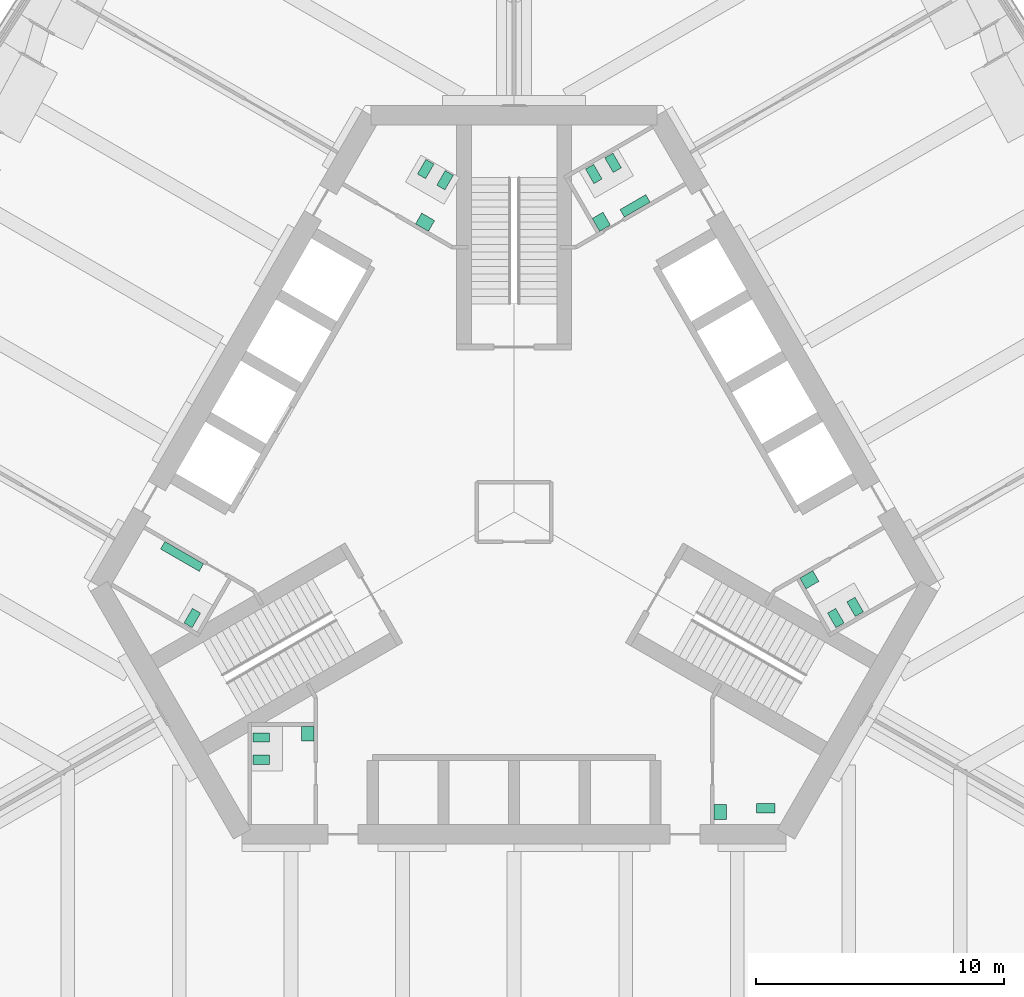
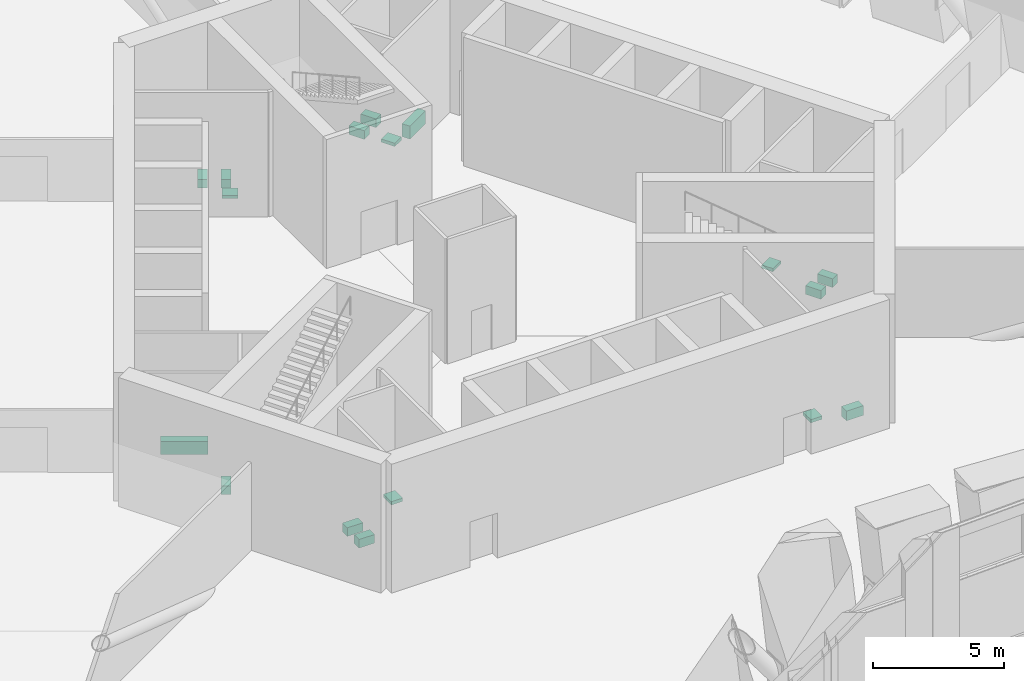
# One storey, part 27 of 28: 17 sanitary terminals.
"""IFC4 building model written with IfcOpenShell, lengths in metres."""

from ifc_helpers import new_model, si_unit, direction, frame, origin, place, context, subcontext, project, spatial, polyline, outline, extrude, material, type_object, element, save


model = new_model("IFC4")

# Units and contexts
model_context = context("Model", 3, precision=1e-05, world=origin(), true_north=direction((0.0, 1.0)))
body_context = subcontext(model_context, "Body", "Model", "MODEL_VIEW")
ifc_project = project(units=[si_unit("LENGTHUNIT", "METRE"), si_unit("AREAUNIT", "SQUARE_METRE"), si_unit("VOLUMEUNIT", "CUBIC_METRE"), si_unit("PLANEANGLEUNIT", "RADIAN"), si_unit("MASSUNIT", "GRAM", prefix="KILO")], contexts=[model_context])

# Site, building, storey
site_placement = place(None, origin())
site = spatial("IfcSite", under=ifc_project, at=site_placement, CompositionType="ELEMENT")
building_placement = place(site_placement, origin())
building = spatial("IfcBuilding", under=site, at=building_placement, Name="Trefoil Bronze Tower", CompositionType="ELEMENT")
storey_placement = place(building_placement, frame((0.0, 0.0, 92.10009765625)))
storey = spatial("IfcBuildingStorey", under=building, at=storey_placement, Name="L21", CompositionType="ELEMENT", Elevation=92.10009765625)

# Sanitary terminals
ifc_material_1 = material(Name="Vitreous china", Category="ceramic")
sanitary_terminal_type_1 = type_object("IfcSanitaryTerminalType", Name="Accessible WC pan", PredefinedType="TOILETPAN", material=ifc_material_1)
sanitary_terminal_1_placement = place(storey_placement, origin())
element("IfcSanitaryTerminal", 1, at=sanitary_terminal_1_placement, inside=storey, type_object=sanitary_terminal_type_1, Name="WC pan 1 Accessible WC L21", PredefinedType="TOILETPAN", context=body_context, shape_type="SweptSolid", body=[
    extrude(outline(polyline([(9.784912109375, -11.77001953125), (10.534912109375, -11.77001953125), (10.534912109375, -12.14990234375), (9.784912109375, -12.14990234375), (9.784912109375, -11.77001953125)])), origin(), (0.0, 0.0, 1.0), 0.449951171875),
])
ifc_material_2 = material(Name="Vitreous china", Category="ceramic")
sanitary_terminal_type_2 = type_object("IfcSanitaryTerminalType", Name="Accessible basin", PredefinedType="WASHHANDBASIN", material=ifc_material_2)
sanitary_terminal_2_placement = place(storey_placement, frame((0.0, 0.0, 0.64990234375)))
element("IfcSanitaryTerminal", 2, at=sanitary_terminal_2_placement, inside=storey, type_object=sanitary_terminal_type_2, Name="Wash basin Accessible WC L21", PredefinedType="WASHHANDBASIN", context=body_context, shape_type="SweptSolid", body=[
    extrude(outline(polyline([(8.074951171875, -11.800048828125), (8.574951171875, -11.800048828125), (8.574951171875, -12.39990234375), (8.074951171875, -12.39990234375), (8.074951171875, -11.800048828125)])), origin(), (0.0, 0.0, 1.0), 0.14990234375),
])
ifc_material_3 = material(Name="Vitreous china", Category="ceramic")
sanitary_terminal_type_3 = type_object("IfcSanitaryTerminalType", Name="Urinal range 2 urinals", PredefinedType="URINAL", material=ifc_material_3)
sanitary_terminal_3_placement = place(storey_placement, frame((0.0, 0.0, 0.39990234375)))
element("IfcSanitaryTerminal", 3, at=sanitary_terminal_3_placement, inside=storey, type_object=sanitary_terminal_type_3, Name="Urinal range WC (men) L21", PredefinedType="URINAL", context=body_context, shape_type="SweptSolid", body=[
    extrude(outline(polyline([(4.449462890625, 11.89306640625), (4.274658203125, 12.1962890625), (5.313720703125, 12.796142578125), (5.48876953125, 12.4931640625), (4.449462890625, 11.89306640625)])), origin(), (0.0, 0.0, 1.0), 0.60009765625),
])
ifc_material_4 = material(Name="Vitreous china", Category="ceramic")
sanitary_terminal_type_4 = type_object("IfcSanitaryTerminalType", Name="Urinal range 3 urinals", PredefinedType="URINAL", material=ifc_material_4)
sanitary_terminal_4_placement = place(storey_placement, frame((0.0, 0.0, 0.39990234375)))
element("IfcSanitaryTerminal", 4, at=sanitary_terminal_4_placement, inside=storey, type_object=sanitary_terminal_type_4, Name="Urinal range WC (men) L21", PredefinedType="URINAL", context=body_context, shape_type="SweptSolid", body=[
    extrude(outline(polyline([(-12.524658203125, -2.09326171875), (-12.699462890625, -2.396240234375), (-14.25830078125, -1.496337890625), (-14.08349609375, -1.193115234375), (-12.524658203125, -2.09326171875)])), origin(), (0.0, 0.0, 1.0), 0.60009765625),
])
ifc_material_5 = material(Name="Solid surface vanity", Category="plastic")
sanitary_terminal_type_5 = type_object("IfcSanitaryTerminalType", Name="Vanity unit 1 basins", PredefinedType="WASHHANDBASIN", material=ifc_material_5)
sanitary_terminal_5_placement = place(storey_placement, frame((0.0, 0.0, 0.75)))
element("IfcSanitaryTerminal", 5, at=sanitary_terminal_5_placement, inside=storey, type_object=sanitary_terminal_type_5, Name="Vanity unit WC (women) L21", PredefinedType="WASHHANDBASIN", context=body_context, shape_type="SweptSolid", body=[
    extrude(outline(polyline([(11.528564453125, -2.668212890625), (11.778564453125, -3.10107421875), (12.29833984375, -2.80126953125), (12.04833984375, -2.3681640625), (11.528564453125, -2.668212890625)])), origin(), (0.0, 0.0, 1.0), 0.14990234375),
])
sanitary_terminal_6_placement = place(storey_placement, frame((0.0, 0.0, 0.75)))
element("IfcSanitaryTerminal", 6, at=sanitary_terminal_6_placement, inside=storey, type_object=sanitary_terminal_type_5, Name="Vanity unit WC (men) L21", PredefinedType="WASHHANDBASIN", context=body_context, shape_type="SweptSolid", body=[
    extrude(outline(polyline([(3.45361328125, 11.318115234375), (3.153564453125, 11.837890625), (3.586669921875, 12.087890625), (3.88671875, 11.568115234375), (3.45361328125, 11.318115234375)])), origin(), (0.0, 0.0, 1.0), 0.14990234375),
])
sanitary_terminal_7_placement = place(storey_placement, frame((0.0, 0.0, 0.75)))
element("IfcSanitaryTerminal", 7, at=sanitary_terminal_7_placement, inside=storey, type_object=sanitary_terminal_type_5, Name="Vanity unit WC (women) L21", PredefinedType="WASHHANDBASIN", context=body_context, shape_type="SweptSolid", body=[
    extrude(outline(polyline([(-3.45361328125, 11.318115234375), (-3.20361328125, 11.751220703125), (-3.72314453125, 12.05126953125), (-3.97314453125, 11.6181640625), (-3.45361328125, 11.318115234375)])), origin(), (0.0, 0.0, 1.0), 0.14990234375),
])
sanitary_terminal_8_placement = place(storey_placement, frame((0.0, 0.0, 0.75)))
element("IfcSanitaryTerminal", 8, at=sanitary_terminal_8_placement, inside=storey, type_object=sanitary_terminal_type_5, Name="Vanity unit WC (women) L21", PredefinedType="WASHHANDBASIN", context=body_context, shape_type="SweptSolid", body=[
    extrude(outline(polyline([(-8.074951171875, -8.64990234375), (-8.574951171875, -8.64990234375), (-8.574951171875, -9.25), (-8.074951171875, -9.25), (-8.074951171875, -8.64990234375)])), origin(), (0.0, 0.0, 1.0), 0.14990234375),
])
ifc_material_6 = material(Name="Vitreous china", Category="ceramic")
sanitary_terminal_type_6 = type_object("IfcSanitaryTerminalType", Name="WC pan", PredefinedType="TOILETPAN", material=ifc_material_6)
sanitary_terminal_9_placement = place(storey_placement, origin())
element("IfcSanitaryTerminal", 9, at=sanitary_terminal_9_placement, inside=storey, type_object=sanitary_terminal_type_6, Name="WC pan 1 WC (women) L21", PredefinedType="TOILETPAN", context=body_context, shape_type="SweptSolid", body=[
    extrude(outline(polyline([(12.643798828125, -4.07958984375), (12.98388671875, -4.66845703125), (13.31298828125, -4.478515625), (12.972900390625, -3.8896484375), (12.643798828125, -4.07958984375)])), origin(), (0.0, 0.0, 1.0), 0.39990234375),
])
sanitary_terminal_10_placement = place(storey_placement, origin())
element("IfcSanitaryTerminal", 10, at=sanitary_terminal_10_placement, inside=storey, type_object=sanitary_terminal_type_6, Name="WC pan 2 WC (women) L21", PredefinedType="TOILETPAN", context=body_context, shape_type="SweptSolid", body=[
    extrude(outline(polyline([(13.423095703125, -3.629638671875), (13.76318359375, -4.218505859375), (14.09228515625, -4.028564453125), (13.752197265625, -3.439697265625), (13.423095703125, -3.629638671875)])), origin(), (0.0, 0.0, 1.0), 0.39990234375),
])
sanitary_terminal_11_placement = place(storey_placement, origin())
element("IfcSanitaryTerminal", 11, at=sanitary_terminal_11_placement, inside=storey, type_object=sanitary_terminal_type_6, Name="WC pan 1 WC (men) L21", PredefinedType="TOILETPAN", context=body_context, shape_type="SweptSolid", body=[
    extrude(outline(polyline([(3.2216796875, 13.23974609375), (2.8818359375, 13.82861328125), (3.2109375, 14.0185546875), (3.55078125, 13.4296875), (3.2216796875, 13.23974609375)])), origin(), (0.0, 0.0, 1.0), 0.39990234375),
])
sanitary_terminal_12_placement = place(storey_placement, origin())
element("IfcSanitaryTerminal", 12, at=sanitary_terminal_12_placement, inside=storey, type_object=sanitary_terminal_type_6, Name="WC pan 2 WC (men) L21", PredefinedType="TOILETPAN", context=body_context, shape_type="SweptSolid", body=[
    extrude(outline(polyline([(4.001220703125, 13.689697265625), (3.6611328125, 14.278564453125), (3.990234375, 14.468505859375), (4.330322265625, 13.879638671875), (4.001220703125, 13.689697265625)])), origin(), (0.0, 0.0, 1.0), 0.39990234375),
])
sanitary_terminal_13_placement = place(storey_placement, origin())
element("IfcSanitaryTerminal", 13, at=sanitary_terminal_13_placement, inside=storey, type_object=sanitary_terminal_type_6, Name="WC pan 1 WC (women) L21", PredefinedType="TOILETPAN", context=body_context, shape_type="SweptSolid", body=[
    extrude(outline(polyline([(-2.788818359375, 12.98974609375), (-2.44873046875, 13.57861328125), (-2.77783203125, 13.7685546875), (-3.117919921875, 13.1796875), (-2.788818359375, 12.98974609375)])), origin(), (0.0, 0.0, 1.0), 0.39990234375),
])
sanitary_terminal_14_placement = place(storey_placement, origin())
element("IfcSanitaryTerminal", 14, at=sanitary_terminal_14_placement, inside=storey, type_object=sanitary_terminal_type_6, Name="WC pan 2 WC (women) L21", PredefinedType="TOILETPAN", context=body_context, shape_type="SweptSolid", body=[
    extrude(outline(polyline([(-3.568115234375, 13.439697265625), (-3.228271484375, 14.028564453125), (-3.557373046875, 14.218505859375), (-3.897216796875, 13.629638671875), (-3.568115234375, 13.439697265625)])), origin(), (0.0, 0.0, 1.0), 0.39990234375),
])
sanitary_terminal_15_placement = place(storey_placement, origin())
element("IfcSanitaryTerminal", 15, at=sanitary_terminal_15_placement, inside=storey, type_object=sanitary_terminal_type_6, Name="WC pan 1 WC (men) L21", PredefinedType="TOILETPAN", context=body_context, shape_type="SweptSolid", body=[
    extrude(outline(polyline([(-12.643798828125, -4.07958984375), (-12.98388671875, -4.66845703125), (-13.31298828125, -4.478515625), (-12.972900390625, -3.8896484375), (-12.643798828125, -4.07958984375)])), origin(), (0.0, 0.0, 1.0), 0.39990234375),
])
sanitary_terminal_16_placement = place(storey_placement, origin())
element("IfcSanitaryTerminal", 16, at=sanitary_terminal_16_placement, inside=storey, type_object=sanitary_terminal_type_6, Name="WC pan 1 WC (women) L21", PredefinedType="TOILETPAN", context=body_context, shape_type="SweptSolid", body=[
    extrude(outline(polyline([(-9.85498046875, -8.909912109375), (-10.534912109375, -8.909912109375), (-10.534912109375, -9.2900390625), (-9.85498046875, -9.2900390625), (-9.85498046875, -8.909912109375)])), origin(), (0.0, 0.0, 1.0), 0.39990234375),
])
sanitary_terminal_17_placement = place(storey_placement, origin())
element("IfcSanitaryTerminal", 17, at=sanitary_terminal_17_placement, inside=storey, type_object=sanitary_terminal_type_6, Name="WC pan 2 WC (women) L21", PredefinedType="TOILETPAN", context=body_context, shape_type="SweptSolid", body=[
    extrude(outline(polyline([(-9.85498046875, -9.81005859375), (-10.534912109375, -9.81005859375), (-10.534912109375, -10.18994140625), (-9.85498046875, -10.18994140625), (-9.85498046875, -9.81005859375)])), origin(), (0.0, 0.0, 1.0), 0.39990234375),
])

save(model, "model.ifc")
